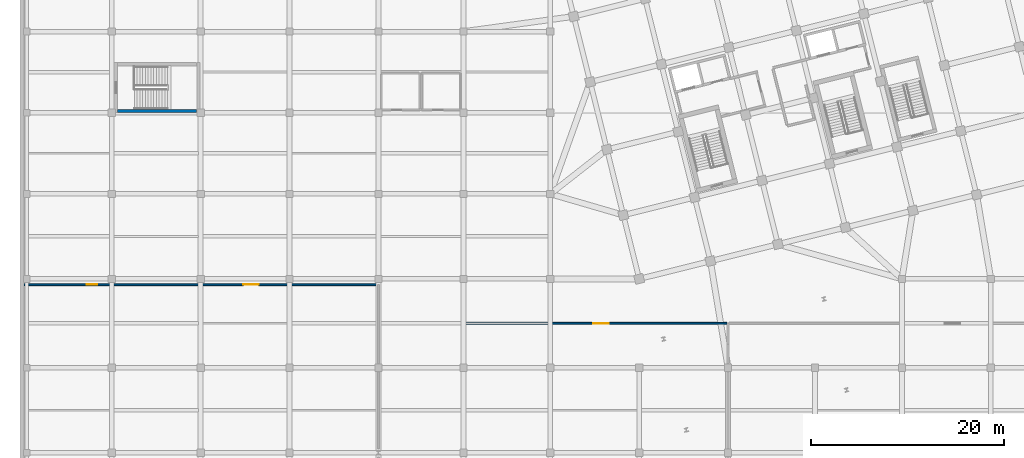
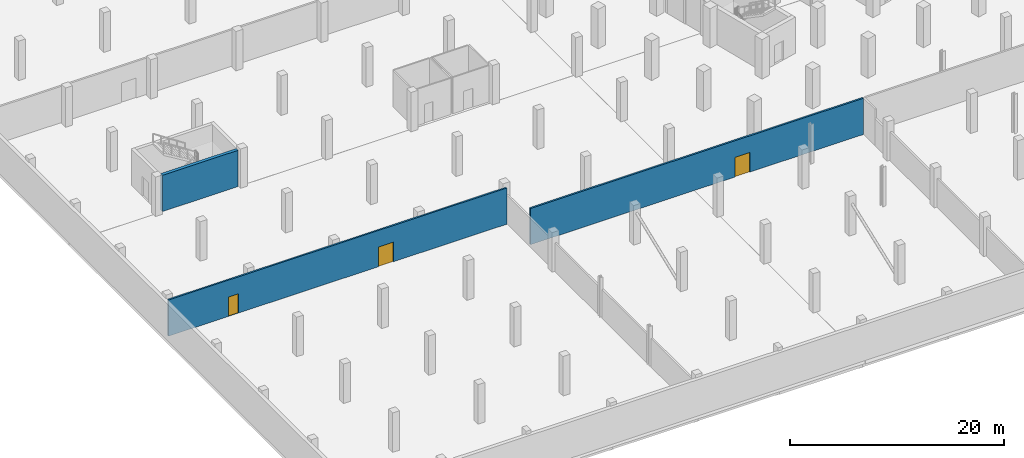
# One storey, part 18 of 31: 3 doors, 3 walls, 3 openings.
"""IFC4 building model written with IfcOpenShell, lengths in metres."""

from ifc_helpers import new_model, si_unit, direction, frame, frame_2d, origin, place, context, subcontext, project, spatial, rectangle, extrude, material, layer, layer_set, type_object, element, fill, save


model = new_model("IFC4")

# Units and contexts
model_context = context("Model", 3, precision=1e-05, world=origin(), true_north=direction((0.0, 1.0)))
body_context = subcontext(model_context, "Body", "Model", "MODEL_VIEW")
ifc_project = project(units=[si_unit("LENGTHUNIT", "METRE"), si_unit("AREAUNIT", "SQUARE_METRE"), si_unit("VOLUMEUNIT", "CUBIC_METRE"), si_unit("PLANEANGLEUNIT", "RADIAN"), si_unit("MASSUNIT", "GRAM", prefix="KILO")], contexts=[model_context])

# Site, building, storey
site_placement = place(None, origin())
site = spatial("IfcSite", under=ifc_project, at=site_placement, CompositionType="ELEMENT")
building_placement = place(site_placement, origin())
building = spatial("IfcBuilding", under=site, at=building_placement, Name="Meriwether Solvik Hall", CompositionType="ELEMENT")
storey_placement = place(building_placement, frame((0.0, 0.0, -4.5)))
storey = spatial("IfcBuildingStorey", under=building, at=storey_placement, Name="B01", CompositionType="ELEMENT", Elevation=-4.5)

# Wall, opening, door
ifc_material_1 = material(Name="Grouted Concrete Masonry Unit Block", Category="masonry")
ifc_layer_1 = layer(ifc_material_1, 0.18994140625)
ifc_layer_set_1 = layer_set([ifc_layer_1], Name="Grouted Concrete Masonry Unit Block")
wall_type_1 = type_object("IfcWallType", Name="WALL-CMU-190", PredefinedType="STANDARD", material=ifc_layer_set_1)
wall_1_placement = place(storey_placement, frame((77.679931640625, 36.60009765625, 0.0), z_axis=(0.0, 0.0, 1.0), x_axis=(-1.0, 0.0, 0.0)))
wall_1 = element("IfcWall", 1, at=wall_1_placement, inside=storey, type_object=wall_type_1, Name="B01 Interior Partition ev_south_n", PredefinedType="STANDARD", context=body_context, shape_type="SweptSolid", body=[
    extrude(rectangle(XDim=35.9599609375, YDim=0.18994140625, at=frame_2d((17.97998046875, 0.0))), origin(), (0.0, 0.0, 1.0), 4.139892578125),
])
opening_1_placement = place(wall_1_placement, frame((12.25341796875, 0.0, 0.0)))
opening_1 = element("IfcOpeningElement", 2, at=opening_1_placement, cuts=wall_1, Name="Opening D-144", PredefinedType="OPENING", context=body_context, shape_type="SweptSolid", body=[
    extrude(rectangle(XDim=1.60009765625, YDim=2.25, at=frame_2d((0.800048828125, 1.125))), frame((0.0, 0.10693359375, 0.0), z_axis=(0.0, -1.0, 0.0), x_axis=(1.0, 0.0, 0.0)), (0.0, 0.0, 1.0), 0.2138671875),
])
ifc_material_2 = material(Name="Steel A36 Galvanised", Category="steel")
door_type_1 = type_object("IfcDoorType", Name="DR-FD60-1600", OperationType="DOUBLE_DOOR_SINGLE_SWING", PredefinedType="DOOR", material=ifc_material_2)
door_1_placement = place(opening_1_placement, origin())
door_1 = element("IfcDoor", 3, at=door_1_placement, inside=storey, type_object=door_type_1, Name="South EV Charging Parking Zone Door", OperationType="DOUBLE_DOOR_SINGLE_SWING", OverallHeight=2.25, OverallWidth=1.60009765625, PredefinedType="DOOR", context=body_context, shape_type="SweptSolid", body=[
    extrude(rectangle(XDim=1.60009765625, YDim=2.25, at=frame_2d((0.800048828125, 1.125))), frame((0.0, 0.02490234375, 0.0), z_axis=(0.0, -1.0, 0.0), x_axis=(1.0, 0.0, 0.0)), (0.0, 0.0, 1.0), 0.050048828125),
])
fill(opening_1, door_1)

# Wall, openings, doors
ifc_material_3 = material(Name="Fire-Rated Type X Gypsum Board", Category="gypsum")
ifc_layer_2 = layer(ifc_material_3, 0.175048828125)
ifc_layer_set_2 = layer_set([ifc_layer_2], Name="Fire-Rated Type X Gypsum Board")
wall_type_2 = type_object("IfcWallType", Name="WALL-CORR-175", PredefinedType="PARTITIONING", material=ifc_layer_set_2)
wall_2_placement = place(storey_placement, frame((41.47998046875, 40.60009765625, 0.0), z_axis=(0.0, 0.0, 1.0), x_axis=(-1.0, 0.0, 0.0)))
wall_2 = element("IfcWall", 4, at=wall_2_placement, inside=storey, type_object=wall_type_2, Name="B01 Interior Partition bike_hub_n", PredefinedType="PARTITIONING", context=body_context, shape_type="SweptSolid", body=[
    extrude(rectangle(XDim=36.56005859375, YDim=0.175048828125, at=frame_2d((18.280029296875, 0.0))), origin(), (0.0, 0.0, 1.0), 4.139892578125),
])
opening_2_placement = place(wall_2_placement, frame((12.268310546875, 0.0, 0.0)))
opening_2 = element("IfcOpeningElement", 5, at=opening_2_placement, cuts=wall_2, Name="Opening D-144", PredefinedType="OPENING", context=body_context, shape_type="SweptSolid", body=[
    extrude(rectangle(XDim=1.60009765625, YDim=2.25, at=frame_2d((0.800048828125, 1.125))), frame((0.0, 0.099609375, 0.0), z_axis=(0.0, -1.0, 0.0), x_axis=(1.0, 0.0, 0.0)), (0.0, 0.0, 1.0), 0.198974609375),
])
opening_3_placement = place(wall_2_placement, frame((28.980224609375, 0.0, 0.0)))
opening_3 = element("IfcOpeningElement", 6, at=opening_3_placement, cuts=wall_2, Name="Opening D-142", PredefinedType="OPENING", context=body_context, shape_type="SweptSolid", body=[
    extrude(rectangle(XDim=1.10009765625, YDim=2.199951171875, at=frame_2d((0.550048828125, 1.10009765625))), frame((0.0, 0.099609375, 0.0), z_axis=(0.0, -1.0, 0.0), x_axis=(1.0, 0.0, 0.0)), (0.0, 0.0, 1.0), 0.198974609375),
])
ifc_material_4 = material(Name="Steel A36 Galvanised", Category="steel")
door_type_2 = type_object("IfcDoorType", Name="DR-FD60-1100R", OperationType="SINGLE_SWING_RIGHT", PredefinedType="DOOR", material=ifc_material_4)
door_2_placement = place(opening_3_placement, origin())
door_2 = element("IfcDoor", 7, at=door_2_placement, inside=storey, type_object=door_type_2, Name="Commuter Bicycle Parking and Locker Hub Door 2", OperationType="SINGLE_SWING_RIGHT", OverallHeight=2.199951171875, OverallWidth=1.10009765625, PredefinedType="DOOR", context=body_context, shape_type="SweptSolid", body=[
    extrude(rectangle(XDim=1.10009765625, YDim=2.199951171875, at=frame_2d((0.550048828125, 1.10009765625))), frame((0.0, 0.02490234375, 0.0), z_axis=(0.0, -1.0, 0.0), x_axis=(1.0, 0.0, 0.0)), (0.0, 0.0, 1.0), 0.050048828125),
])
fill(opening_3, door_2)
door_3_placement = place(opening_2_placement, origin())
door_3 = element("IfcDoor", 8, at=door_3_placement, inside=storey, type_object=door_type_1, Name="Commuter Bicycle Parking and Locker Hub Door", OperationType="DOUBLE_DOOR_SINGLE_SWING", OverallHeight=2.25, OverallWidth=1.60009765625, PredefinedType="DOOR", context=body_context, shape_type="SweptSolid", body=[
    extrude(rectangle(XDim=1.60009765625, YDim=2.25, at=frame_2d((0.800048828125, 1.125))), frame((0.0, 0.02490234375, 0.0), z_axis=(0.0, -1.0, 0.0), x_axis=(1.0, 0.0, 0.0)), (0.0, 0.0, 1.0), 0.050048828125),
])
fill(opening_2, door_3)

# Wall
ifc_material_5 = material(Name="Concrete C40/50", Category="concrete")
ifc_layer_3 = layer(ifc_material_5, 0.35009765625)
ifc_layer_set_3 = layer_set([ifc_layer_3], Name="Concrete C40/50")
wall_type_3 = type_object("IfcWallType", Name="WALL-RC-350", PredefinedType="SHEAR", material=ifc_layer_set_3)
wall_3_placement = place(storey_placement, frame((14.610107421875, 58.574951171875, 0.0), z_axis=(0.0, 0.0, 1.0), x_axis=(1.0, 0.0, 0.0)))
element("IfcWall", 9, at=wall_3_placement, inside=storey, type_object=wall_type_3, Name="CORE-4 Shear Wall S (B01)", PredefinedType="SHEAR", context=body_context, shape_type="SweptSolid", body=[
    extrude(rectangle(XDim=8.179931640625, YDim=0.35009765625, at=frame_2d((4.08984375, 0.0))), origin(), (0.0, 0.0, 1.0), 4.139892578125),
])

save(model, "model.ifc")
